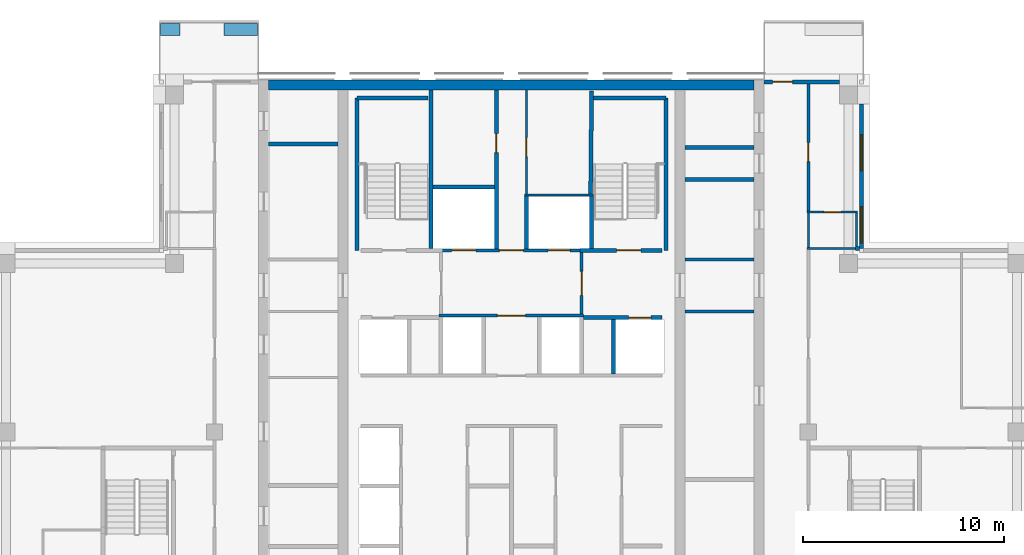
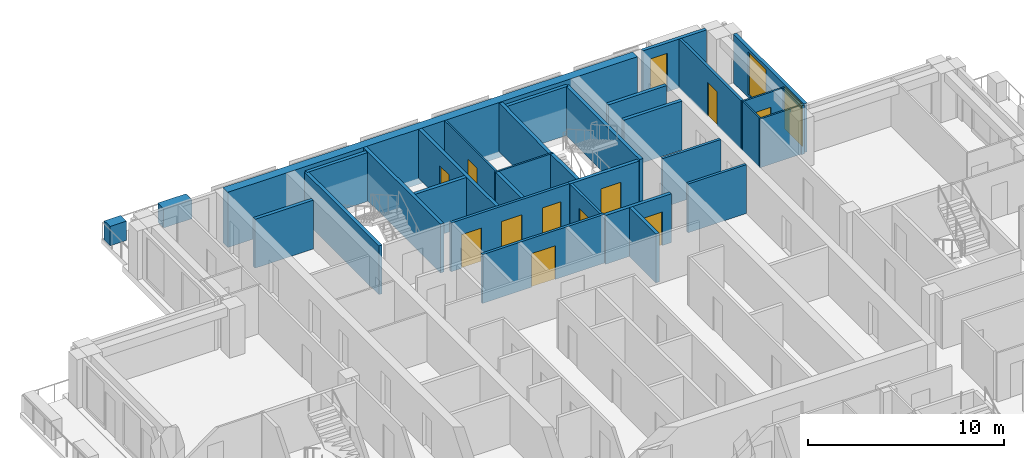
# One storey, part 11 of 16: 34 walls, 12 doors, 2 windows, 14 openings.
"""IFC4 building model written with IfcOpenShell, lengths in metres."""

import ifcopenshell
import ifcopenshell.guid

model = None  # the IFC model being written
_history = None  # IfcOwnerHistory: only IFC2X3 demands one
_inside = {}  # id of a spatial element -> (the spatial element, [elements in it])
_under = {}  # id of a project, library or spatial element -> (it, [spatial elements below it])
_declared = {}  # id of a project -> (the project, [libraries it declares])
_typed = {}  # id of a type object -> (the type object, [elements of that type])
_made_of = {}  # id of a material, layer set ... -> (it, [elements and type objects made of it])


def new_model(schema):
    """Start an empty IFC model of exactly this schema.

    Asked for "IFC4X3", IfcOpenShell would pick the latest addendum, in which some entities
    have other attributes; the version numbers below select the first issue.
    IFC2X3 requires an IfcOwnerHistory on every rooted entity: one is made here for all.
    """
    global model, _history
    if schema == "IFC4X3":
        model = ifcopenshell.file(schema_version=(4, 3, 0, 0))
    else:
        model = ifcopenshell.file(schema=schema)
    _inside.clear()
    _under.clear()
    _declared.clear()
    _typed.clear()
    _made_of.clear()
    _history = None
    if model.schema == "IFC2X3":
        org = make("IfcOrganization", Name="unknown")
        user = make(
            "IfcPersonAndOrganization",
            ThePerson=make("IfcPerson", FamilyName="unknown"),
            TheOrganization=org,
        )
        app = make(
            "IfcApplication",
            ApplicationDeveloper=org,
            Version="unknown",
            ApplicationFullName="unknown",
            ApplicationIdentifier="unknown",
        )
        _history = make(
            "IfcOwnerHistory",
            OwningUser=user,
            OwningApplication=app,
            ChangeAction="ADDED",
            CreationDate=0,
        )
    return model


def make(cls, **values):
    """One entity of the class cls with the attributes given. An attribute that is None is left unset."""
    return model.create_entity(
        cls, **{name: value for name, value in values.items() if value is not None}
    )


def rooted(cls, **values):
    """An entity with a GlobalId (a new one), such as an element, a storey or a relation."""
    return make(cls, GlobalId=ifcopenshell.guid.new(), OwnerHistory=_history, **values)


def si_unit(unit_type, name, prefix=None):
    """IfcSIUnit, for example si_unit("LENGTHUNIT", "METRE", prefix="MILLI")."""
    return make("IfcSIUnit", UnitType=unit_type, Prefix=prefix, Name=name)


def assignment(units):
    """IfcUnitAssignment: the units of a project."""
    return None if units is None else make("IfcUnitAssignment", Units=units)


def point(xyz):
    """IfcCartesianPoint."""
    return None if xyz is None else make("IfcCartesianPoint", Coordinates=xyz)


def direction(xyz):
    """IfcDirection."""
    return None if xyz is None else make("IfcDirection", DirectionRatios=xyz)


def frame(location, z_axis=None, x_axis=None):
    """IfcAxis2Placement3D, a coordinate frame: its origin and axes. An axis left out is left unset."""
    return make(
        "IfcAxis2Placement3D",
        Location=point(location),
        Axis=direction(z_axis),
        RefDirection=direction(x_axis),
    )


def frame_2d(location, x_axis=None):
    """IfcAxis2Placement2D, a coordinate frame in the plane: its origin and x axis."""
    return make(
        "IfcAxis2Placement2D", Location=point(location), RefDirection=direction(x_axis)
    )


def origin():
    """The frame at (0, 0, 0) with its axes left unset."""
    return frame((0.0, 0.0, 0.0))


def place(relative_to, where):
    """IfcLocalPlacement: puts the frame where relative to a parent placement (None: the world)."""
    return make(
        "IfcLocalPlacement", PlacementRelTo=relative_to, RelativePlacement=where
    )


def context(
    kind, dimensions, precision=None, world=None, true_north=None, identifier=None
):
    """IfcGeometricRepresentationContext, for example the 3D "Model" context."""
    return make(
        "IfcGeometricRepresentationContext",
        ContextIdentifier=identifier,
        ContextType=kind,
        CoordinateSpaceDimension=dimensions,
        Precision=precision,
        WorldCoordinateSystem=world,
        TrueNorth=true_north,
    )


def subcontext(parent, identifier, kind, view, scale=None):
    """IfcGeometricRepresentationSubContext, for example "Body" below "Model"."""
    return make(
        "IfcGeometricRepresentationSubContext",
        ContextIdentifier=identifier,
        ContextType=kind,
        ParentContext=parent,
        TargetScale=scale,
        TargetView=view,
    )


def project(units=None, contexts=None):
    """IfcProject with its units and contexts."""
    return rooted(
        "IfcProject",
        Name="project",
        RepresentationContexts=contexts,
        UnitsInContext=assignment(units),
    )


def spatial(cls, under=None, at=None, **own):
    """A site, building, storey or space (cls), placed at a placement, below another one or the project."""
    s = rooted(cls, ObjectPlacement=at, **own)
    if under is not None:
        _under.setdefault(under.id(), (under, []))[1].append(s)
    return s


def profile(cls, at=None, kind="AREA", **sizes):
    """A parametric profile (cls). Its sizes go by their IFC names, for example OverallWidth=200.0."""
    return make(cls, ProfileType=kind, Position=at, **sizes)


def rectangle(**sizes):
    """IfcRectangleProfileDef."""
    return profile("IfcRectangleProfileDef", **sizes)


def extrude(swept, where, along, depth):
    """IfcExtrudedAreaSolid: the profile swept, set in the frame where, extruded along a direction by depth."""
    return make(
        "IfcExtrudedAreaSolid",
        SweptArea=swept,
        Position=where,
        ExtrudedDirection=direction(along),
        Depth=depth,
    )


def shape(context_of_items, identifier, shape_type, items):
    """IfcShapeRepresentation: the items that make up one representation, for example the "Body"."""
    return make(
        "IfcShapeRepresentation",
        ContextOfItems=context_of_items,
        RepresentationIdentifier=identifier,
        RepresentationType=shape_type,
        Items=items,
    )


def material(Name=None, Category=None):
    """IfcMaterial."""
    return make("IfcMaterial", Name=Name, Category=Category)


def layer(
    of_material, thickness, ventilated=None, Name=None, Category=None, Priority=None
):
    """IfcMaterialLayer: one layer of a wall or slab, of a material (None: an air gap)."""
    return make(
        "IfcMaterialLayer",
        Material=of_material,
        LayerThickness=thickness,
        IsVentilated=ventilated,
        Name=Name,
        Category=Category,
        Priority=Priority,
    )


def layer_set(layers, Name=None):
    """IfcMaterialLayerSet."""
    return make("IfcMaterialLayerSet", MaterialLayers=layers, LayerSetName=Name)


def made_of(thing, what):
    """Note that an element or type object is made of a material, layer set ...; save() writes the relation."""
    if what is not None:
        _made_of.setdefault(what.id(), (what, []))[1].append(thing)
    return thing


def type_object(cls, material=None, **own):
    """A type object (cls), such as IfcWallType, which elements share."""
    return made_of(rooted(cls, **own), material)


def element(
    cls,
    number,
    at=None,
    inside=None,
    cuts=None,
    type_object=None,
    material=None,
    context=None,
    identifier="Body",
    shape_type=None,
    held_by="IfcProductDefinitionShape",
    body=None,
    shapes=None,
    **own,
):
    """One element of the class cls, such as IfcWall. Its Tag is "e" and its number.

    at: its placement. inside: the storey or other place that contains it. cuts: it is an
    opening in that element (IfcRelVoidsElement). A single representation is given by context,
    identifier, shape_type and body (its items); several are given by shapes. held_by: the class
    of the entity that holds the representations. save() writes the other relations.
    """
    e = rooted(cls, Tag="e%d" % number, ObjectPlacement=at, **own)
    if body is not None:
        shapes = [shape(context, identifier, shape_type, body)]
    if shapes is not None:
        e.Representation = make(held_by, Representations=shapes)
    if inside is not None:
        _inside.setdefault(inside.id(), (inside, []))[1].append(e)
    if cuts is not None:
        rooted(
            "IfcRelVoidsElement", RelatingBuildingElement=cuts, RelatedOpeningElement=e
        )
    if type_object is not None:
        _typed.setdefault(type_object.id(), (type_object, []))[1].append(e)
    return made_of(e, material)


def fill(opening, filler):
    """IfcRelFillsElement: the door or window that sits in an opening."""
    return rooted(
        "IfcRelFillsElement",
        RelatingOpeningElement=opening,
        RelatedBuildingElement=filler,
    )


def aggregate(whole, parts):
    """IfcRelAggregates: a whole, such as a stair, and the parts it consists of."""
    return rooted("IfcRelAggregates", RelatingObject=whole, RelatedObjects=parts)


def save(model, path):
    """Write the relations noted so far, then the file.

    IfcRelAggregates (storeys below a building ...), IfcRelContainedInSpatialStructure (elements
    in a storey), IfcRelDefinesByType, IfcRelAssociatesMaterial and IfcRelDeclares: one each for
    every whole, place, type object, material and project.
    """
    for whole, parts in _under.values():
        aggregate(whole, parts)
    for where, things in _inside.values():
        rooted(
            "IfcRelContainedInSpatialStructure",
            RelatedElements=things,
            RelatingStructure=where,
        )
    for kind, things in _typed.values():
        rooted("IfcRelDefinesByType", RelatedObjects=things, RelatingType=kind)
    for what, things in _made_of.values():
        rooted("IfcRelAssociatesMaterial", RelatedObjects=things, RelatingMaterial=what)
    for by, libraries in _declared.values():
        rooted("IfcRelDeclares", RelatingContext=by, RelatedDefinitions=libraries)
    model.write(path)


model = new_model("IFC4")

# Units and contexts
model_context = context("Model", 3, precision=1e-05, world=origin(), true_north=direction((0.0, 1.0)))
body_context = subcontext(model_context, "Body", "Model", "MODEL_VIEW")
ifc_project = project(units=[si_unit("LENGTHUNIT", "METRE"), si_unit("AREAUNIT", "SQUARE_METRE"), si_unit("VOLUMEUNIT", "CUBIC_METRE"), si_unit("PLANEANGLEUNIT", "RADIAN"), si_unit("MASSUNIT", "GRAM", prefix="KILO")], contexts=[model_context])

# Site, building, storey
site_placement = place(None, origin())
site = spatial("IfcSite", under=ifc_project, at=site_placement, CompositionType="ELEMENT")
building_placement = place(site_placement, origin())
building = spatial("IfcBuilding", under=site, at=building_placement, Name="Vermilion Ogive Tower", CompositionType="ELEMENT")
storey_placement = place(building_placement, frame((0.0, 0.0, 251.050048828125)))
storey = spatial("IfcBuildingStorey", under=building, at=storey_placement, Name="L66", CompositionType="ELEMENT", Elevation=251.050048828125)

# Walls
ifc_material_1 = material(Name="Concrete B60", Category="concrete")
ifc_layer_1 = layer(ifc_material_1, 0.5)
ifc_layer_set_1 = layer_set([ifc_layer_1], Name="Core wall 500 B60")
wall_type_1 = type_object("IfcWallType", Name="Core wall 500 B60", PredefinedType="SHEAR", material=ifc_layer_set_1)
wall_1_placement = place(storey_placement, frame((-12.10009765625, 21.5, -0.400146484375), z_axis=(0.0, 0.0, 1.0), x_axis=(1.0, 0.0, 0.0)))
element("IfcWall", 1, at=wall_1_placement, inside=storey, type_object=wall_type_1, Name="L66-CORE-N", PredefinedType="SHEAR", context=body_context, shape_type="SweptSolid", body=[
    extrude(rectangle(XDim=24.2001953125, YDim=0.5, at=frame_2d((12.10009765625, 0.0))), origin(), (0.0, 0.0, 1.0), 3.4501953125),
])
ifc_material_2 = material(Name="Gypsum board partition on steel studs", Category="steel")
ifc_layer_2 = layer(ifc_material_2, 0.10009765625)
ifc_layer_set_2 = layer_set([ifc_layer_2], Name="Partition 100 bath")
wall_type_2 = type_object("IfcWallType", Name="Partition 100 bath", PredefinedType="PARTITIONING", material=ifc_layer_set_2)
wall_2_placement = place(storey_placement, frame((14.72509765625, 13.35009765625, 0.0), z_axis=(0.0, 0.0, 1.0), x_axis=(1.0, 0.0, 0.0)))
element("IfcWall", 2, at=wall_2_placement, inside=storey, type_object=wall_type_2, Name="L66-W-W031", PredefinedType="PARTITIONING", context=body_context, shape_type="SweptSolid", body=[
    extrude(rectangle(XDim=2.52490234375, YDim=0.10009765625, at=frame_2d((1.262451171875, 0.0))), origin(), (0.0, 0.0, 1.0), 3.050048828125),
])

# Wall, opening, door
wall_3_placement = place(storey_placement, frame((14.72509765625, 15.14990234375, 0.0), z_axis=(0.0, 0.0, 1.0), x_axis=(1.0, 0.0, 0.0)))
wall_3 = element("IfcWall", 3, at=wall_3_placement, inside=storey, type_object=wall_type_2, Name="L66-W-W034", PredefinedType="PARTITIONING", context=body_context, shape_type="SweptSolid", body=[
    extrude(rectangle(XDim=2.52490234375, YDim=0.10009765625, at=frame_2d((1.262451171875, 0.0))), origin(), (0.0, 0.0, 1.0), 3.050048828125),
])
opening_1_placement = place(wall_3_placement, frame((0.849853515625, 0.0, 0.0)))
opening_1 = element("IfcOpeningElement", 4, at=opening_1_placement, cuts=wall_3, Name="Opening D5G4019", PredefinedType="OPENING", context=body_context, shape_type="SweptSolid", body=[
    extrude(rectangle(XDim=0.85009765625, YDim=2.10009765625, at=frame_2d((0.425048828125, 1.050048828125))), frame((0.0, 0.06005859375, 0.0), z_axis=(0.0, -1.0, 0.0), x_axis=(1.0, 0.0, 0.0)), (0.0, 0.0, 1.0), 0.1201171875),
])
ifc_material_3 = material(Name="Timber door leaf", Category="wood")
door_type_1 = type_object("IfcDoorType", Name="Bath door 850 x 2100 FD30", OperationType="SINGLE_SWING_LEFT", PredefinedType="DOOR", material=ifc_material_3)
door_1_placement = place(opening_1_placement, origin())
door_1 = element("IfcDoor", 5, at=door_1_placement, inside=storey, type_object=door_type_1, Name="L66-D-D019", OperationType="SINGLE_SWING_RIGHT", OverallHeight=2.10009765625, OverallWidth=0.85009765625, PredefinedType="DOOR", context=body_context, shape_type="SweptSolid", body=[
    extrude(rectangle(XDim=0.85009765625, YDim=2.10009765625, at=frame_2d((0.425048828125, 1.050048828125))), frame((0.0, 0.02490234375, 0.0), z_axis=(0.0, -1.0, 0.0), x_axis=(1.0, 0.0, 0.0)), (0.0, 0.0, 1.0), 0.050048828125),
])
fill(opening_1, door_1)

# Walls
wall_4_placement = place(storey_placement, frame((14.800048828125, 13.39990234375, 0.0), z_axis=(0.0, 0.0, 1.0), x_axis=(0.0, 1.0, 0.0)))
element("IfcWall", 6, at=wall_4_placement, inside=storey, type_object=wall_type_2, Name="L66-W-W057", PredefinedType="PARTITIONING", context=body_context, shape_type="SweptSolid", body=[
    extrude(rectangle(XDim=1.7001953125, YDim=0.10009765625, at=frame_2d((0.85009765625, 0.0))), origin(), (0.0, 0.0, 1.0), 3.050048828125),
])
wall_5_placement = place(storey_placement, frame((17.199951171875, 13.449951171875, 0.0), z_axis=(0.0, 0.0, 1.0), x_axis=(0.0, 1.0, 0.0)))
element("IfcWall", 7, at=wall_5_placement, inside=storey, type_object=wall_type_2, Name="L66-W-W061", PredefinedType="PARTITIONING", context=body_context, shape_type="SweptSolid", body=[
    extrude(rectangle(XDim=1.650146484375, YDim=0.10009765625, at=frame_2d((0.8251953125, 0.0))), origin(), (0.0, 0.0, 1.0), 3.050048828125),
])
wall_6_placement = place(storey_placement, frame((0.64990234375, 16.0, 0.0), z_axis=(0.0, 0.0, 1.0), x_axis=(1.0, 0.0, 0.0)))
element("IfcWall", 8, at=wall_6_placement, inside=storey, type_object=wall_type_2, Name="L66-CK-W-W018", PredefinedType="PARTITIONING", context=body_context, shape_type="SweptSolid", body=[
    extrude(rectangle(XDim=3.4501953125, YDim=0.10009765625, at=frame_2d((1.72509765625, 0.0))), origin(), (0.0, 0.0, 1.0), 3.050048828125),
])

# Wall, opening, door
wall_7_placement = place(storey_placement, frame((0.75, 16.050048828125, 0.0), z_axis=(0.0, 0.0, 1.0), x_axis=(0.0, 1.0, 0.0)))
wall_7 = element("IfcWall", 9, at=wall_7_placement, inside=storey, type_object=wall_type_2, Name="L66-CK-W-W030", PredefinedType="PARTITIONING", context=body_context, shape_type="SweptSolid", body=[
    extrude(rectangle(XDim=5.198974609375, YDim=0.10009765625, at=frame_2d((2.599609375, 0.0))), origin(), (0.0, 0.0, 1.0), 3.050048828125),
])
opening_2_placement = place(wall_7_placement, frame((1.875, 0.0, 0.0)))
opening_2 = element("IfcOpeningElement", 10, at=opening_2_placement, cuts=wall_7, Name="Opening DAA621", PredefinedType="OPENING", context=body_context, shape_type="SweptSolid", body=[
    extrude(rectangle(XDim=0.949951171875, YDim=2.10009765625, at=frame_2d((0.47509765625, 1.050048828125))), frame((0.0, 0.06005859375, 0.0), z_axis=(0.0, -1.0, 0.0), x_axis=(1.0, 0.0, 0.0)), (0.0, 0.0, 1.0), 0.1201171875),
])
ifc_material_4 = material(Name="Timber door leaf", Category="wood")
door_type_2 = type_object("IfcDoorType", Name="Service door 950 x 2100 FD60", OperationType="SINGLE_SWING_LEFT", PredefinedType="DOOR", material=ifc_material_4)
door_2_placement = place(opening_2_placement, origin())
door_2 = element("IfcDoor", 11, at=door_2_placement, inside=storey, type_object=door_type_2, Name="L66-CK-D-D022", OperationType="SINGLE_SWING_LEFT", OverallHeight=2.10009765625, OverallWidth=0.949951171875, PredefinedType="DOOR", context=body_context, shape_type="SweptSolid", body=[
    extrude(rectangle(XDim=0.949951171875, YDim=2.10009765625, at=frame_2d((0.47509765625, 1.050048828125))), frame((0.0, 0.02490234375, 0.0), z_axis=(0.0, -1.0, 0.0), x_axis=(1.0, 0.0, 0.0)), (0.0, 0.0, 1.0), 0.050048828125),
])
fill(opening_2, door_2)

ifc_material_5 = material(Name="Gypsum board partition on steel studs", Category="steel")
ifc_layer_3 = layer(ifc_material_5, 0.14990234375)
ifc_layer_set_3 = layer_set([ifc_layer_3], Name="Partition 150 corridor")
wall_type_3 = type_object("IfcWallType", Name="Partition 150 corridor", PredefinedType="PARTITIONING", material=ifc_layer_set_3)
wall_8_placement = place(storey_placement, frame((14.800048828125, 15.199951171875, 0.0), z_axis=(0.0, 0.0, 1.0), x_axis=(0.0, 1.0, 0.0)))
wall_8 = element("IfcWall", 12, at=wall_8_placement, inside=storey, type_object=wall_type_3, Name="L66-W-W058", PredefinedType="PARTITIONING", context=body_context, shape_type="SweptSolid", body=[
    extrude(rectangle(XDim=6.35009765625, YDim=0.14990234375, at=frame_2d((3.175048828125, 0.0))), origin(), (0.0, 0.0, 1.0), 3.050048828125),
])
opening_3_placement = place(wall_8_placement, frame((2.47509765625, 0.0, 0.0)))
opening_3 = element("IfcOpeningElement", 13, at=opening_3_placement, cuts=wall_8, Name="Opening D5G4018", PredefinedType="OPENING", context=body_context, shape_type="SweptSolid", body=[
    extrude(rectangle(XDim=0.949951171875, YDim=2.10009765625, at=frame_2d((0.47509765625, 1.050048828125))), frame((0.0, 0.0849609375, 0.0), z_axis=(0.0, -1.0, 0.0), x_axis=(1.0, 0.0, 0.0)), (0.0, 0.0, 1.0), 0.169921875),
])
ifc_material_6 = material(Name="Timber door leaf", Category="wood")
door_type_3 = type_object("IfcDoorType", Name="Unit door 950 x 2100 FD30S", OperationType="SINGLE_SWING_LEFT", PredefinedType="DOOR", material=ifc_material_6)
door_3_placement = place(opening_3_placement, origin())
door_3 = element("IfcDoor", 14, at=door_3_placement, inside=storey, type_object=door_type_3, Name="L66-D-D018", OperationType="SINGLE_SWING_LEFT", OverallHeight=2.10009765625, OverallWidth=0.949951171875, PredefinedType="DOOR", context=body_context, shape_type="SweptSolid", body=[
    extrude(rectangle(XDim=0.949951171875, YDim=2.10009765625, at=frame_2d((0.47509765625, 1.050048828125))), frame((0.0, 0.02490234375, 0.0), z_axis=(0.0, -1.0, 0.0), x_axis=(1.0, 0.0, 0.0)), (0.0, 0.0, 1.0), 0.050048828125),
])
fill(opening_3, door_3)

wall_9_placement = place(storey_placement, frame((-3.60009765625, 10.0, 0.0), z_axis=(0.0, 0.0, 1.0), x_axis=(1.0, 0.0, 0.0)))
wall_9 = element("IfcWall", 15, at=wall_9_placement, inside=storey, type_object=wall_type_3, Name="L66-CK-W-W014", PredefinedType="PARTITIONING", context=body_context, shape_type="SweptSolid", body=[
    extrude(rectangle(XDim=7.2001953125, YDim=0.14990234375, at=frame_2d((3.60009765625, 0.0))), origin(), (0.0, 0.0, 1.0), 3.050048828125),
])
opening_4_placement = place(wall_9_placement, frame((2.900146484375, 0.0, 0.0)))
opening_4 = element("IfcOpeningElement", 16, at=opening_4_placement, cuts=wall_9, Name="Opening DAA612", PredefinedType="OPENING", context=body_context, shape_type="SweptSolid", body=[
    extrude(rectangle(XDim=1.39990234375, YDim=2.10009765625, at=frame_2d((0.699951171875, 1.050048828125))), frame((0.0, 0.0849609375, 0.0), z_axis=(0.0, -1.0, 0.0), x_axis=(1.0, 0.0, 0.0)), (0.0, 0.0, 1.0), 0.169921875),
])
ifc_material_7 = material(Name="Timber door leaf", Category="wood")
door_type_4 = type_object("IfcDoorType", Name="Lobby door 1400 x 2100 FD60S", OperationType="SINGLE_SWING_LEFT", PredefinedType="DOOR", material=ifc_material_7)
door_4_placement = place(opening_4_placement, origin())
door_4 = element("IfcDoor", 17, at=door_4_placement, inside=storey, type_object=door_type_4, Name="L66-CK-D-D017", OperationType="SINGLE_SWING_RIGHT", OverallHeight=2.10009765625, OverallWidth=1.39990234375, PredefinedType="DOOR", context=body_context, shape_type="SweptSolid", body=[
    extrude(rectangle(XDim=1.39990234375, YDim=2.10009765625, at=frame_2d((0.699951171875, 1.050048828125))), frame((0.0, 0.02490234375, 0.0), z_axis=(0.0, -1.0, 0.0), x_axis=(1.0, 0.0, 0.0)), (0.0, 0.0, 1.0), 0.050048828125),
])
fill(opening_4, door_4)

# Wall, openings, doors
wall_10_placement = place(storey_placement, frame((-3.574951171875, 13.25, 0.0), z_axis=(0.0, 0.0, 1.0), x_axis=(1.0, 0.0, 0.0)))
wall_10 = element("IfcWall", 18, at=wall_10_placement, inside=storey, type_object=wall_type_3, Name="L66-CK-W-W016", PredefinedType="PARTITIONING", context=body_context, shape_type="SweptSolid", body=[
    extrude(rectangle(XDim=7.14990234375, YDim=0.14990234375, at=frame_2d((3.574951171875, 0.0))), origin(), (0.0, 0.0, 1.0), 3.050048828125),
])
opening_5_placement = place(wall_10_placement, frame((0.599853515625, 0.0, 0.0)))
opening_5 = element("IfcOpeningElement", 19, at=opening_5_placement, cuts=wall_10, Name="Opening DAA632", PredefinedType="OPENING", context=body_context, shape_type="SweptSolid", body=[
    extrude(rectangle(XDim=1.199951171875, YDim=2.10009765625, at=frame_2d((0.60009765625, 1.050048828125))), frame((0.0, 0.0849609375, 0.0), z_axis=(0.0, -1.0, 0.0), x_axis=(1.0, 0.0, 0.0)), (0.0, 0.0, 1.0), 0.169921875),
])
opening_6_placement = place(wall_10_placement, frame((5.39990234375, 0.0, 0.0)))
opening_6 = element("IfcOpeningElement", 20, at=opening_6_placement, cuts=wall_10, Name="Opening DAA631", PredefinedType="OPENING", context=body_context, shape_type="SweptSolid", body=[
    extrude(rectangle(XDim=1.10009765625, YDim=2.10009765625, at=frame_2d((0.550048828125, 1.050048828125))), frame((0.0, 0.0849609375, 0.0), z_axis=(0.0, -1.0, 0.0), x_axis=(1.0, 0.0, 0.0)), (0.0, 0.0, 1.0), 0.169921875),
])
opening_7_placement = place(wall_10_placement, frame((2.974853515625, 0.0, 0.0)))
opening_7 = element("IfcOpeningElement", 21, at=opening_7_placement, cuts=wall_10, Name="Opening DAA613", PredefinedType="OPENING", context=body_context, shape_type="SweptSolid", body=[
    extrude(rectangle(XDim=1.199951171875, YDim=2.10009765625, at=frame_2d((0.60009765625, 1.050048828125))), frame((0.0, 0.0849609375, 0.0), z_axis=(0.0, -1.0, 0.0), x_axis=(1.0, 0.0, 0.0)), (0.0, 0.0, 1.0), 0.169921875),
])
ifc_material_8 = material(Name="Stainless steel", Category="steel")
door_type_5 = type_object("IfcDoorType", Name="Lift landing door 1100 x 2100", OperationType="SLIDING_TO_LEFT", PredefinedType="DOOR", material=ifc_material_8)
door_5_placement = place(opening_6_placement, origin())
door_5 = element("IfcDoor", 22, at=door_5_placement, inside=storey, type_object=door_type_5, Name="L66-CK-D-D019", OperationType="SLIDING_TO_LEFT", OverallHeight=2.10009765625, OverallWidth=1.10009765625, PredefinedType="DOOR", context=body_context, shape_type="SweptSolid", body=[
    extrude(rectangle(XDim=1.10009765625, YDim=2.10009765625, at=frame_2d((0.550048828125, 1.050048828125))), frame((0.0, 0.02490234375, 0.0), z_axis=(0.0, -1.0, 0.0), x_axis=(1.0, 0.0, 0.0)), (0.0, 0.0, 1.0), 0.050048828125),
])
fill(opening_6, door_5)
ifc_material_9 = material(Name="Stainless steel", Category="steel")
door_type_6 = type_object("IfcDoorType", Name="Lift landing door 1200 x 2100", OperationType="SLIDING_TO_LEFT", PredefinedType="DOOR", material=ifc_material_9)
door_6_placement = place(opening_5_placement, origin())
door_6 = element("IfcDoor", 23, at=door_6_placement, inside=storey, type_object=door_type_6, Name="L66-CK-D-D018", OperationType="SLIDING_TO_RIGHT", OverallHeight=2.10009765625, OverallWidth=1.199951171875, PredefinedType="DOOR", context=body_context, shape_type="SweptSolid", body=[
    extrude(rectangle(XDim=1.199951171875, YDim=2.10009765625, at=frame_2d((0.60009765625, 1.050048828125))), frame((0.0, 0.02490234375, 0.0), z_axis=(0.0, -1.0, 0.0), x_axis=(1.0, 0.0, 0.0)), (0.0, 0.0, 1.0), 0.050048828125),
])
fill(opening_5, door_6)
ifc_material_10 = material(Name="Timber door leaf", Category="wood")
door_type_7 = type_object("IfcDoorType", Name="Service door 1200 x 2100 FD60", OperationType="SINGLE_SWING_LEFT", PredefinedType="DOOR", material=ifc_material_10)
door_7_placement = place(opening_7_placement, origin())
door_7 = element("IfcDoor", 24, at=door_7_placement, inside=storey, type_object=door_type_7, Name="L66-CK-D-D020", OperationType="SINGLE_SWING_RIGHT", OverallHeight=2.10009765625, OverallWidth=1.199951171875, PredefinedType="DOOR", context=body_context, shape_type="SweptSolid", body=[
    extrude(rectangle(XDim=1.199951171875, YDim=2.10009765625, at=frame_2d((0.60009765625, 1.050048828125))), frame((0.0, 0.02490234375, 0.0), z_axis=(0.0, -1.0, 0.0), x_axis=(1.0, 0.0, 0.0)), (0.0, 0.0, 1.0), 0.050048828125),
])
fill(opening_7, door_7)

# Wall, opening, door
wall_11_placement = place(storey_placement, frame((3.5, 10.074951171875, 0.0), z_axis=(0.0, 0.0, 1.0), x_axis=(0.0, 1.0, 0.0)))
wall_11 = element("IfcWall", 25, at=wall_11_placement, inside=storey, type_object=wall_type_3, Name="L66-CK-W-W034", PredefinedType="PARTITIONING", context=body_context, shape_type="SweptSolid", body=[
    extrude(rectangle(XDim=3.074951171875, YDim=0.14990234375, at=frame_2d((1.53759765625, 0.0))), origin(), (0.0, 0.0, 1.0), 3.050048828125),
])
opening_8_placement = place(wall_11_placement, frame((0.925048828125, 0.0, 0.0)))
opening_8 = element("IfcOpeningElement", 26, at=opening_8_placement, cuts=wall_11, Name="Opening DAA610", PredefinedType="OPENING", context=body_context, shape_type="SweptSolid", body=[
    extrude(rectangle(XDim=1.199951171875, YDim=2.10009765625, at=frame_2d((0.60009765625, 1.050048828125))), frame((0.0, 0.0849609375, 0.0), z_axis=(0.0, -1.0, 0.0), x_axis=(1.0, 0.0, 0.0)), (0.0, 0.0, 1.0), 0.169921875),
])
ifc_material_11 = material(Name="Timber door leaf", Category="wood")
door_type_8 = type_object("IfcDoorType", Name="Lobby door 1200 x 2100 FD60S", OperationType="SINGLE_SWING_LEFT", PredefinedType="DOOR", material=ifc_material_11)
door_8_placement = place(opening_8_placement, origin())
door_8 = element("IfcDoor", 27, at=door_8_placement, inside=storey, type_object=door_type_8, Name="L66-CK-D-D024", OperationType="SINGLE_SWING_LEFT", OverallHeight=2.10009765625, OverallWidth=1.199951171875, PredefinedType="DOOR", context=body_context, shape_type="SweptSolid", body=[
    extrude(rectangle(XDim=1.199951171875, YDim=2.10009765625, at=frame_2d((0.60009765625, 1.050048828125))), frame((0.0, 0.02490234375, 0.0), z_axis=(0.0, -1.0, 0.0), x_axis=(1.0, 0.0, 0.0)), (0.0, 0.0, 1.0), 0.050048828125),
])
fill(opening_8, door_8)

# Walls
for number, where, z_axis, x_axis, name in (
    (28, (8.65087890625, 10.199951171875, 0.0), (0.0, 0.0, 1.0), (1.0, 0.0, 0.0), "L66-CKE-W-W002"),
    (29, (8.65087890625, 12.800048828125, 0.0), (0.0, 0.0, 1.0), (1.0, 0.0, 0.0), "L66-CKE-W-W003"),
):
    element("IfcWall", number, at=place(storey_placement, frame(where, z_axis=z_axis, x_axis=x_axis)), inside=storey, type_object=wall_type_3, Name=name, PredefinedType="PARTITIONING", context=body_context, shape_type="SweptSolid", body=[
        extrude(rectangle(XDim=3.4482421875, YDim=0.14990234375, at=frame_2d((1.72412109375, 0.0))), origin(), (0.0, 0.0, 1.0), 3.050048828125),
    ])
ifc_material_12 = material(Name="Gypsum board partition on steel studs", Category="steel")
ifc_layer_4 = layer(ifc_material_12, 0.199951171875)
ifc_layer_set_4 = layer_set([ifc_layer_4], Name="Partition 200 party")
wall_type_4 = type_object("IfcWallType", Name="Partition 200 party", PredefinedType="PARTITIONING", material=ifc_layer_set_4)
wall_12_placement = place(storey_placement, frame((17.14990234375, 13.35009765625, 0.0), z_axis=(0.0, 0.0, 1.0), x_axis=(1.0, 0.0, 0.0)))
element("IfcWall", 30, at=wall_12_placement, inside=storey, type_object=wall_type_4, Name="L66-W-W032", PredefinedType="PARTITIONING", context=body_context, shape_type="SweptSolid", body=[
    extrude(rectangle(XDim=0.2001953125, YDim=0.199951171875, at=frame_2d((0.10009765625, 0.0))), origin(), (0.0, 0.0, 1.0), 3.050048828125),
])

# Wall, opening, door
wall_13_placement = place(storey_placement, frame((3.60009765625, 9.89990234375, 0.0), z_axis=(0.0, 0.0, 1.0), x_axis=(1.0, 0.0, 0.0)))
wall_13 = element("IfcWall", 31, at=wall_13_placement, inside=storey, type_object=wall_type_4, Name="L66-CK-W-W013", PredefinedType="PARTITIONING", context=body_context, shape_type="SweptSolid", body=[
    extrude(rectangle(XDim=3.89990234375, YDim=0.199951171875, at=frame_2d((1.949951171875, 0.0))), origin(), (0.0, 0.0, 1.0), 3.050048828125),
])
opening_9_placement = place(wall_13_placement, frame((2.25, 0.0, 0.0)))
opening_9 = element("IfcOpeningElement", 32, at=opening_9_placement, cuts=wall_13, Name="Opening DAA630", PredefinedType="OPENING", context=body_context, shape_type="SweptSolid", body=[
    extrude(rectangle(XDim=1.10009765625, YDim=2.10009765625, at=frame_2d((0.550048828125, 1.050048828125))), frame((0.0, 0.10986328125, 0.0), z_axis=(0.0, -1.0, 0.0), x_axis=(1.0, 0.0, 0.0)), (0.0, 0.0, 1.0), 0.219970703125),
])
door_9_placement = place(opening_9_placement, origin())
door_9 = element("IfcDoor", 33, at=door_9_placement, inside=storey, type_object=door_type_5, Name="L66-CK-D-D015", OperationType="SLIDING_TO_LEFT", OverallHeight=2.10009765625, OverallWidth=1.10009765625, PredefinedType="DOOR", context=body_context, shape_type="SweptSolid", body=[
    extrude(rectangle(XDim=1.10009765625, YDim=2.10009765625, at=frame_2d((0.550048828125, 1.050048828125))), frame((0.0, 0.02490234375, 0.0), z_axis=(0.0, -1.0, 0.0), x_axis=(1.0, 0.0, 0.0)), (0.0, 0.0, 1.0), 0.050048828125),
])
fill(opening_9, door_9)

# Wall
wall_14_placement = place(storey_placement, frame((-3.89990234375, 16.39990234375, 0.0), z_axis=(0.0, 0.0, 1.0), x_axis=(1.0, 0.0, 0.0)))
element("IfcWall", 34, at=wall_14_placement, inside=storey, type_object=wall_type_4, Name="L66-CK-W-W019", PredefinedType="PARTITIONING", context=body_context, shape_type="SweptSolid", body=[
    extrude(rectangle(XDim=3.0498046875, YDim=0.199951171875, at=frame_2d((1.52490234375, 0.0))), origin(), (0.0, 0.0, 1.0), 3.050048828125),
])

# Wall, opening, door
wall_15_placement = place(storey_placement, frame((-0.75, 13.324951171875, 0.0), z_axis=(0.0, 0.0, 1.0), x_axis=(0.0, 1.0, 0.0)))
wall_15 = element("IfcWall", 35, at=wall_15_placement, inside=storey, type_object=wall_type_4, Name="L66-CK-W-W027", PredefinedType="PARTITIONING", context=body_context, shape_type="SweptSolid", body=[
    extrude(rectangle(XDim=7.924072265625, YDim=0.199951171875, at=frame_2d((3.9619140625, 0.0))), origin(), (0.0, 0.0, 1.0), 3.050048828125),
])
opening_10_placement = place(wall_15_placement, frame((4.800048828125, 0.0, 0.0)))
opening_10 = element("IfcOpeningElement", 36, at=opening_10_placement, cuts=wall_15, Name="Opening DAA620", PredefinedType="OPENING", context=body_context, shape_type="SweptSolid", body=[
    extrude(rectangle(XDim=0.949951171875, YDim=2.10009765625, at=frame_2d((0.47509765625, 1.050048828125))), frame((0.0, 0.10986328125, 0.0), z_axis=(0.0, -1.0, 0.0), x_axis=(1.0, 0.0, 0.0)), (0.0, 0.0, 1.0), 0.219970703125),
])
door_10_placement = place(opening_10_placement, origin())
door_10 = element("IfcDoor", 37, at=door_10_placement, inside=storey, type_object=door_type_2, Name="L66-CK-D-D021", OperationType="SINGLE_SWING_RIGHT", OverallHeight=2.10009765625, OverallWidth=0.949951171875, PredefinedType="DOOR", context=body_context, shape_type="SweptSolid", body=[
    extrude(rectangle(XDim=0.949951171875, YDim=2.10009765625, at=frame_2d((0.47509765625, 1.050048828125))), frame((0.0, 0.02490234375, 0.0), z_axis=(0.0, -1.0, 0.0), x_axis=(1.0, 0.0, 0.0)), (0.0, 0.0, 1.0), 0.050048828125),
])
fill(opening_10, door_10)

# Walls
wall_16_placement = place(storey_placement, frame((0.75, 13.324951171875, 0.0), z_axis=(0.0, 0.0, 1.0), x_axis=(0.0, 1.0, 0.0)))
element("IfcWall", 38, at=wall_16_placement, inside=storey, type_object=wall_type_4, Name="L66-CK-W-W029", PredefinedType="PARTITIONING", context=body_context, shape_type="SweptSolid", body=[
    extrude(rectangle(XDim=2.625, YDim=0.199951171875, at=frame_2d((1.3125, 0.0))), origin(), (0.0, 0.0, 1.0), 3.050048828125),
])
wall_17_placement = place(storey_placement, frame((5.10009765625, 7.074951171875, 0.0), z_axis=(0.0, 0.0, 1.0), x_axis=(0.0, 1.0, 0.0)))
element("IfcWall", 39, at=wall_17_placement, inside=storey, type_object=wall_type_4, Name="L66-CK-W-W037", PredefinedType="PARTITIONING", context=body_context, shape_type="SweptSolid", body=[
    extrude(rectangle(XDim=2.72509765625, YDim=0.199951171875, at=frame_2d((1.362548828125, 0.0))), origin(), (0.0, 0.0, 1.0), 3.050048828125),
])
for number, where, z_axis, x_axis, name in (
    (40, (-12.09912109375, 18.56005859375, 0.0), (0.0, 0.0, 1.0), (1.0, 0.0, 0.0), "L66-CKW-W-W006"),
    (41, (8.65087890625, 16.7880859375, 0.0), (0.0, 0.0, 1.0), (1.0, 0.0, 0.0), "L66-CKE-W-W004"),
    (42, (8.65087890625, 18.373046875, 0.0), (0.0, 0.0, 1.0), (1.0, 0.0, 0.0), "L66-CKE-W-W005"),
):
    element("IfcWall", number, at=place(storey_placement, frame(where, z_axis=z_axis, x_axis=x_axis)), inside=storey, type_object=wall_type_4, Name=name, PredefinedType="PARTITIONING", context=body_context, shape_type="SweptSolid", body=[
        extrude(rectangle(XDim=3.4482421875, YDim=0.199951171875, at=frame_2d((1.72412109375, 0.0))), origin(), (0.0, 0.0, 1.0), 3.050048828125),
    ])

# Wall, opening, door
ifc_material_13 = material(Name="Concrete B60", Category="concrete")
ifc_layer_5 = layer(ifc_material_13, 0.199951171875)
ifc_layer_set_5 = layer_set([ifc_layer_5], Name="Stair shaft wall 200 Concrete B60")
wall_type_5 = type_object("IfcWallType", Name="Stair shaft wall 200 Concrete B60", PredefinedType="SOLIDWALL", material=ifc_layer_set_5)
wall_18_placement = place(storey_placement, frame((3.425048828125, 13.25, 0.0), z_axis=(0.0, 0.0, 1.0), x_axis=(1.0, 0.0, 0.0)))
wall_18 = element("IfcWall", 43, at=wall_18_placement, inside=storey, type_object=wall_type_5, Name="L66-CK-W-W017", PredefinedType="SOLIDWALL", context=body_context, shape_type="SweptSolid", body=[
    extrude(rectangle(XDim=4.074951171875, YDim=0.199951171875, at=frame_2d((2.03759765625, 0.0))), origin(), (0.0, 0.0, 1.0), 3.050048828125),
])
opening_11_placement = place(wall_18_placement, frame((1.824951171875, 0.0, 0.0)))
opening_11 = element("IfcOpeningElement", 44, at=opening_11_placement, cuts=wall_18, Name="Opening DAA623", PredefinedType="OPENING", context=body_context, shape_type="SweptSolid", body=[
    extrude(rectangle(XDim=1.199951171875, YDim=2.10009765625, at=frame_2d((0.60009765625, 1.050048828125))), frame((0.0, 0.10986328125, 0.0), z_axis=(0.0, -1.0, 0.0), x_axis=(1.0, 0.0, 0.0)), (0.0, 0.0, 1.0), 0.219970703125),
])
ifc_material_14 = material(Name="Timber door leaf", Category="wood")
door_type_9 = type_object("IfcDoorType", Name="Stair door 1200 x 2100 FD60S", OperationType="SINGLE_SWING_LEFT", PredefinedType="DOOR", material=ifc_material_14)
door_11_placement = place(opening_11_placement, origin())
door_11 = element("IfcDoor", 45, at=door_11_placement, inside=storey, type_object=door_type_9, Name="L66-CK-D-D014", OperationType="SINGLE_SWING_RIGHT", OverallHeight=2.10009765625, OverallWidth=1.199951171875, PredefinedType="DOOR", context=body_context, shape_type="SweptSolid", body=[
    extrude(rectangle(XDim=1.199951171875, YDim=2.10009765625, at=frame_2d((0.60009765625, 1.050048828125))), frame((0.0, 0.02490234375, 0.0), z_axis=(0.0, -1.0, 0.0), x_axis=(1.0, 0.0, 0.0)), (0.0, 0.0, 1.0), 0.050048828125),
])
fill(opening_11, door_11)

# Walls
wall_19_placement = place(storey_placement, frame((-4.0, 13.35009765625, 0.0), z_axis=(0.0, 0.0, 1.0), x_axis=(0.0, 1.0, 0.0)))
element("IfcWall", 46, at=wall_19_placement, inside=storey, type_object=wall_type_5, Name="L66-CK-W-W022", PredefinedType="SOLIDWALL", context=body_context, shape_type="SweptSolid", body=[
    extrude(rectangle(XDim=7.89892578125, YDim=0.199951171875, at=frame_2d((3.949462890625, 0.0))), origin(), (0.0, 0.0, 1.0), 3.050048828125),
])
wall_20_placement = place(storey_placement, frame((4.0, 13.35009765625, 0.0), z_axis=(0.0, 0.0, 1.0), x_axis=(0.0, 1.0, 0.0)))
element("IfcWall", 47, at=wall_20_placement, inside=storey, type_object=wall_type_5, Name="L66-CK-W-W035", PredefinedType="SOLIDWALL", context=body_context, shape_type="SweptSolid", body=[
    extrude(rectangle(XDim=2.599853515625, YDim=0.199951171875, at=frame_2d((1.2998046875, 0.0))), origin(), (0.0, 0.0, 1.0), 3.050048828125),
])
wall_21_placement = place(storey_placement, frame((3.949951171875, 16.050048828125, 0.0), z_axis=(0.0, 0.0, 1.0), x_axis=(0.009719787395, 0.999952761751, 0.0)))
element("IfcWall", 48, at=wall_21_placement, inside=storey, type_object=wall_type_5, Name="L66-CK-W-W036", PredefinedType="SOLIDWALL", context=body_context, shape_type="SweptSolid", body=[
    extrude(rectangle(XDim=5.149169921875, YDim=0.199951171875, at=frame_2d((2.57470703125, 0.0))), origin(), (0.0, 0.0, 1.0), 3.050048828125),
])
wall_22_placement = place(storey_placement, frame((-7.699951171875, 13.25, 0.0), z_axis=(0.0, 0.0, 1.0), x_axis=(0.0, 1.0, 0.0)))
element("IfcWall", 49, at=wall_22_placement, inside=storey, type_object=wall_type_5, Name="L66-SW-R017-W1", PredefinedType="SOLIDWALL", context=body_context, shape_type="SweptSolid", body=[
    extrude(rectangle(XDim=7.60009765625, YDim=0.199951171875, at=frame_2d((3.800048828125, 0.0))), origin(), (0.0, 0.0, 1.0), 3.050048828125),
])
wall_23_placement = place(storey_placement, frame((-7.699951171875, 20.85009765625, 0.0), z_axis=(0.0, 0.0, 1.0), x_axis=(1.0, 0.0, 0.0)))
element("IfcWall", 50, at=wall_23_placement, inside=storey, type_object=wall_type_5, Name="L66-SW-R017-N1", PredefinedType="SOLIDWALL", context=body_context, shape_type="SweptSolid", body=[
    extrude(rectangle(XDim=3.550048828125, YDim=0.199951171875, at=frame_2d((1.77490234375, 0.0))), origin(), (0.0, 0.0, 1.0), 3.050048828125),
])
wall_24_placement = place(storey_placement, frame((7.699951171875, 13.25, 0.0), z_axis=(0.0, 0.0, 1.0), x_axis=(0.0, 1.0, 0.0)))
element("IfcWall", 51, at=wall_24_placement, inside=storey, type_object=wall_type_5, Name="L66-SW-R021-E1", PredefinedType="SOLIDWALL", context=body_context, shape_type="SweptSolid", body=[
    extrude(rectangle(XDim=7.60009765625, YDim=0.199951171875, at=frame_2d((3.800048828125, 0.0))), origin(), (0.0, 0.0, 1.0), 3.050048828125),
])
wall_25_placement = place(storey_placement, frame((4.10009765625, 20.85009765625, 0.0), z_axis=(0.0, 0.0, 1.0), x_axis=(1.0, 0.0, 0.0)))
element("IfcWall", 52, at=wall_25_placement, inside=storey, type_object=wall_type_5, Name="L66-SW-R021-N1", PredefinedType="SOLIDWALL", context=body_context, shape_type="SweptSolid", body=[
    extrude(rectangle(XDim=3.599853515625, YDim=0.199951171875, at=frame_2d((1.7998046875, 0.0))), origin(), (0.0, 0.0, 1.0), 3.050048828125),
])
ifc_material_15 = material(Name="Concrete B40", Category="concrete")
ifc_layer_6 = layer(ifc_material_15, 0.60009765625)
ifc_layer_set_6 = layer_set([ifc_layer_6], Name="Structural planter")
wall_type_6 = type_object("IfcWallType", Name="Structural planter", PredefinedType="USERDEFINED", material=ifc_layer_set_6)
wall_26_placement = place(storey_placement, frame((-12.659912109375, 24.253662109375, -0.0400390625), z_axis=(0.0, 0.0, 1.0), x_axis=(-1.0, 0.0, 0.0)))
element("IfcWall", 53, at=wall_26_placement, inside=storey, type_object=wall_type_6, Name="Planter N201A1", ObjectType="PLANTER", PredefinedType="USERDEFINED", context=body_context, shape_type="SweptSolid", body=[
    extrude(rectangle(XDim=1.6650390625, YDim=0.60009765625, at=frame_2d((0.83251953125, 0.0))), origin(), (0.0, 0.0, 1.0), 1.199951171875),
])
wall_27_placement = place(storey_placement, frame((-16.52490234375, 24.253662109375, -0.0400390625), z_axis=(0.0, 0.0, 1.0), x_axis=(-1.0, 0.0, 0.0)))
element("IfcWall", 54, at=wall_27_placement, inside=storey, type_object=wall_type_6, Name="Planter N201A2", ObjectType="PLANTER", PredefinedType="USERDEFINED", context=body_context, shape_type="SweptSolid", body=[
    extrude(rectangle(XDim=0.965087890625, YDim=0.60009765625, at=frame_2d((0.482421875, 0.0))), origin(), (0.0, 0.0, 1.0), 1.199951171875),
])

# Wall, openings, windows
ifc_material_16 = material(Name="Aluminium window wall framing", Category="aluminium")
ifc_layer_7 = layer(ifc_material_16, 0.199951171875)
ifc_layer_set_7 = layer_set([ifc_layer_7], Name="Window wall")
wall_type_7 = type_object("IfcWallType", Name="Window wall", PredefinedType="STANDARD", material=ifc_layer_set_7)
wall_28_placement = place(storey_placement, frame((17.449951171875, 13.35009765625, 0.0), z_axis=(0.0, 0.0, 1.0), x_axis=(0.0, 1.0, 0.0)))
wall_28 = element("IfcWall", 55, at=wall_28_placement, inside=storey, type_object=wall_type_7, Name="Window wall X41", PredefinedType="STANDARD", context=body_context, shape_type="SweptSolid", body=[
    extrude(rectangle(XDim=7.199951171875, YDim=0.199951171875, at=frame_2d((3.60009765625, 0.0))), origin(), (0.0, 0.0, 1.0), 3.050048828125),
])
opening_12_placement = place(wall_28_placement, frame((0.27490234375, 0.0, 0.199951171875)))
opening_12 = element("IfcOpeningElement", 56, at=opening_12_placement, cuts=wall_28, Name="Opening W1-X403", PredefinedType="OPENING", context=body_context, shape_type="SweptSolid", body=[
    extrude(rectangle(XDim=1.800048828125, YDim=2.64990234375, at=frame_2d((0.89990234375, 1.324951171875))), frame((0.0, 0.10986328125, 0.0), z_axis=(0.0, -1.0, 0.0), x_axis=(1.0, 0.0, 0.0)), (0.0, 0.0, 1.0), 0.219970703125),
])
opening_13_placement = place(wall_28_placement, frame((3.875, 0.0, 0.199951171875)))
opening_13 = element("IfcOpeningElement", 57, at=opening_13_placement, cuts=wall_28, Name="Opening W1-X404", PredefinedType="OPENING", context=body_context, shape_type="SweptSolid", body=[
    extrude(rectangle(XDim=1.800048828125, YDim=2.64990234375, at=frame_2d((0.89990234375, 1.324951171875))), frame((0.0, 0.10986328125, 0.0), z_axis=(0.0, -1.0, 0.0), x_axis=(1.0, 0.0, 0.0)), (0.0, 0.0, 1.0), 0.219970703125),
])
ifc_material_17 = material(Name="Aluminium framed double glazing", Category="aluminium")
window_type = type_object("IfcWindowType", Name="Guest window W1", PartitioningType="SINGLE_PANEL", PredefinedType="WINDOW", material=ifc_material_17)
window_1_placement = place(opening_12_placement, origin())
window_1 = element("IfcWindow", 58, at=window_1_placement, inside=storey, type_object=window_type, Name="Window X403", OverallHeight=2.64990234375, OverallWidth=1.800048828125, PartitioningType="SINGLE_PANEL", PredefinedType="WINDOW", context=body_context, shape_type="SweptSolid", body=[
    extrude(rectangle(XDim=1.800048828125, YDim=2.64990234375, at=frame_2d((0.89990234375, 1.324951171875))), frame((0.0, 0.030029296875, 0.0), z_axis=(0.0, -1.0, 0.0), x_axis=(1.0, 0.0, 0.0)), (0.0, 0.0, 1.0), 0.06005859375),
])
fill(opening_12, window_1)
window_2_placement = place(opening_13_placement, origin())
window_2 = element("IfcWindow", 59, at=window_2_placement, inside=storey, type_object=window_type, Name="Window X404", OverallHeight=2.64990234375, OverallWidth=1.800048828125, PartitioningType="SINGLE_PANEL", PredefinedType="WINDOW", context=body_context, shape_type="SweptSolid", body=[
    extrude(rectangle(XDim=1.800048828125, YDim=2.64990234375, at=frame_2d((0.89990234375, 1.324951171875))), frame((0.0, 0.030029296875, 0.0), z_axis=(0.0, -1.0, 0.0), x_axis=(1.0, 0.0, 0.0)), (0.0, 0.0, 1.0), 0.06005859375),
])
fill(opening_13, window_2)

# Wall, opening, door
wall_29_placement = place(storey_placement, frame((16.35009765625, 21.64990234375, 0.0), z_axis=(0.0, 0.0, 1.0), x_axis=(-1.0, 0.0, 0.0)))
wall_29 = element("IfcWall", 60, at=wall_29_placement, inside=storey, type_object=wall_type_7, Name="Window wall N11", PredefinedType="STANDARD", context=body_context, shape_type="SweptSolid", body=[
    extrude(rectangle(XDim=3.75, YDim=0.199951171875, at=frame_2d((1.875, 0.0))), origin(), (0.0, 0.0, 1.0), 3.050048828125),
])
opening_14_placement = place(wall_29_placement, frame((2.324951171875, 0.0, 0.0)))
opening_14 = element("IfcOpeningElement", 61, at=opening_14_placement, cuts=wall_29, Name="Opening D1-N103", PredefinedType="OPENING", context=body_context, shape_type="SweptSolid", body=[
    extrude(rectangle(XDim=1.0, YDim=2.39990234375, at=frame_2d((0.5, 1.199951171875))), frame((0.0, 0.10986328125, 0.0), z_axis=(0.0, -1.0, 0.0), x_axis=(1.0, 0.0, 0.0)), (0.0, 0.0, 1.0), 0.219970703125),
])
ifc_material_18 = material(Name="Aluminium framed glazed door", Category="aluminium")
door_type_10 = type_object("IfcDoorType", Name="Balcony door D1", OperationType="SINGLE_SWING_LEFT", PredefinedType="DOOR", material=ifc_material_18)
door_12_placement = place(opening_14_placement, origin())
door_12 = element("IfcDoor", 62, at=door_12_placement, inside=storey, type_object=door_type_10, Name="Balcony door N103", OperationType="SINGLE_SWING_LEFT", OverallHeight=2.39990234375, OverallWidth=1.0, PredefinedType="DOOR", context=body_context, shape_type="SweptSolid", body=[
    extrude(rectangle(XDim=1.0, YDim=2.39990234375, at=frame_2d((0.5, 1.199951171875))), frame((0.0, 0.02490234375, 0.0), z_axis=(0.0, -1.0, 0.0), x_axis=(1.0, 0.0, 0.0)), (0.0, 0.0, 1.0), 0.050048828125),
])
fill(opening_14, door_12)

save(model, "model.ifc")
